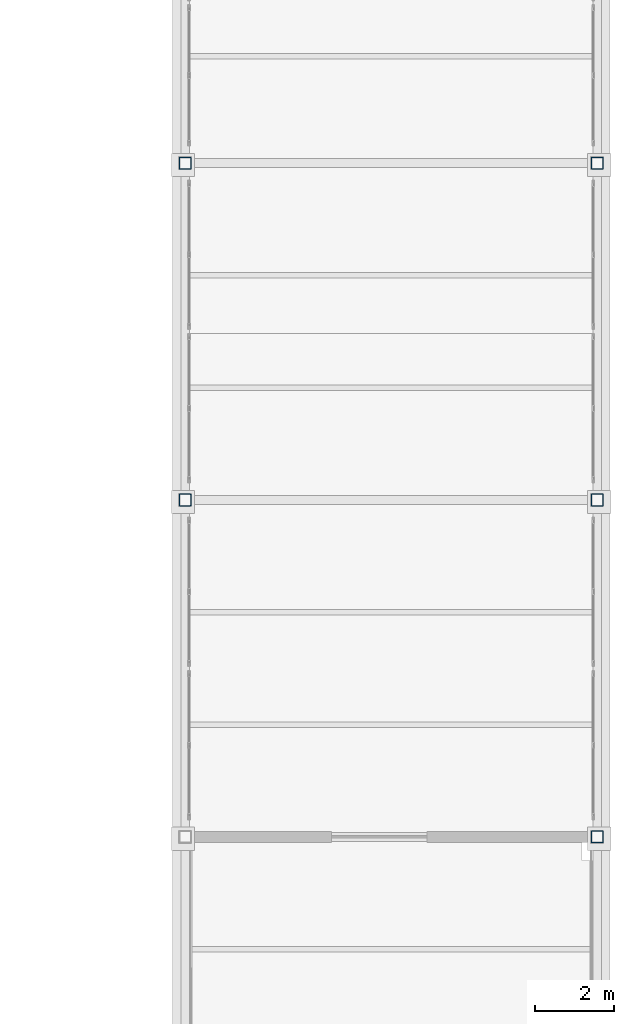
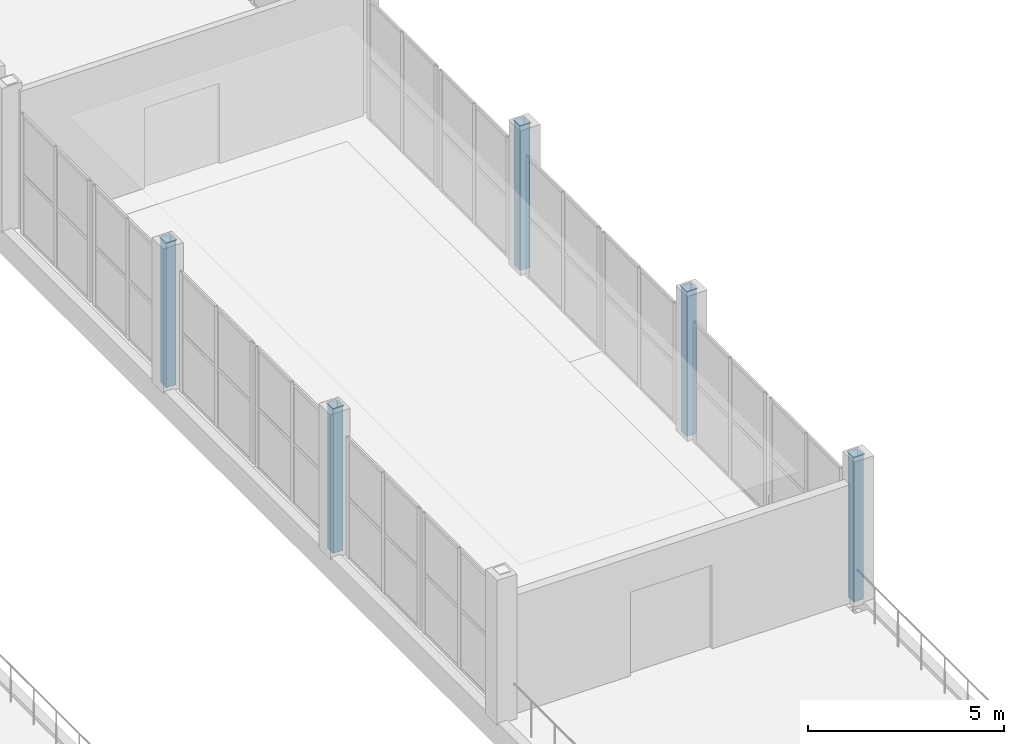
# One storey, part 11 of 156: 5 columns.
"""IFC4 building model written with IfcOpenShell, lengths in metres."""

from ifc_helpers import new_model, si_unit, direction, frame, origin, origin_2d, place, context, subcontext, project, spatial, hollow_rectangle, extrude, material, material_profile, profile_set, type_object, element, save


model = new_model("IFC4")

# Units and contexts
model_context = context("Model", 3, precision=1e-05, world=origin(), true_north=direction((0.0, 1.0)))
body_context = subcontext(model_context, "Body", "Model", "MODEL_VIEW")
ifc_project = project(units=[si_unit("LENGTHUNIT", "METRE"), si_unit("AREAUNIT", "SQUARE_METRE"), si_unit("VOLUMEUNIT", "CUBIC_METRE"), si_unit("PLANEANGLEUNIT", "RADIAN"), si_unit("MASSUNIT", "GRAM", prefix="KILO")], contexts=[model_context])

# Site, building, storey
site_placement = place(None, origin())
site = spatial("IfcSite", under=ifc_project, at=site_placement, CompositionType="ELEMENT")
building_placement = place(site_placement, origin())
building = spatial("IfcBuilding", under=site, at=building_placement, Name="Caurita Quay Ferry Terminal", CompositionType="ELEMENT")
storey_placement = place(building_placement, frame((0.0, 0.0, 5.39990234375)))
storey = spatial("IfcBuildingStorey", under=building, at=storey_placement, Name="L01", CompositionType="ELEMENT", Elevation=5.39990234375)

# Columns
ifc_material = material(Name="Hollow structural steel ASTM A500 Gr. C", Category="steel")
ifc_material_profile = material_profile(ifc_material, hollow_rectangle(XDim=0.3046875, YDim=0.3046875, WallThickness=0.01171875, InnerFilletRadius=0.01171875, OuterFilletRadius=0.023681640625, at=origin_2d()), Name="HSS12X12X1/2")
ifc_profile_set = profile_set([ifc_material_profile], Name="Hollow structural steel ASTM A500 Gr. C")
column_type = type_object("IfcColumnType", Name="COL-HSS-02", PredefinedType="COLUMN", material=ifc_profile_set)
for number, where, z_axis, x_axis, name in (
    (1, (163.60009765625, 17.0, 0.0), (0.0, 0.0, 1.0), (1.0, 0.0, 0.0), "L01 Column V3-BP-18-C"),
    (2, (163.60009765625, 25.5, 0.0), (0.0, 0.0, 1.0), (1.0, 0.0, 0.0), "L01 Column V3-BP-18-D"),
    (3, (174.0, 8.5, 0.0), (0.0, 0.0, 1.0), (1.0, 0.0, 0.0), "L01 Column V3-BP-19-B"),
    (4, (174.0, 17.0, 0.0), (0.0, 0.0, 1.0), (1.0, 0.0, 0.0), "L01 Column V3-BP-19-C"),
    (5, (174.0, 25.5, 0.0), (0.0, 0.0, 1.0), (1.0, 0.0, 0.0), "L01 Column V3-BP-19-D"),
):
    element("IfcColumn", number, at=place(storey_placement, frame(where, z_axis=z_axis, x_axis=x_axis)), inside=storey, type_object=column_type, Name=name, PredefinedType="COLUMN", context=body_context, shape_type="SweptSolid", body=[
        extrude(hollow_rectangle(XDim=0.3046875, YDim=0.3046875, WallThickness=0.01171875, InnerFilletRadius=0.01171875, OuterFilletRadius=0.023681640625, at=origin_2d()), origin(), (0.0, 0.0, 1.0), 4.5),
    ])

save(model, "model.ifc")
